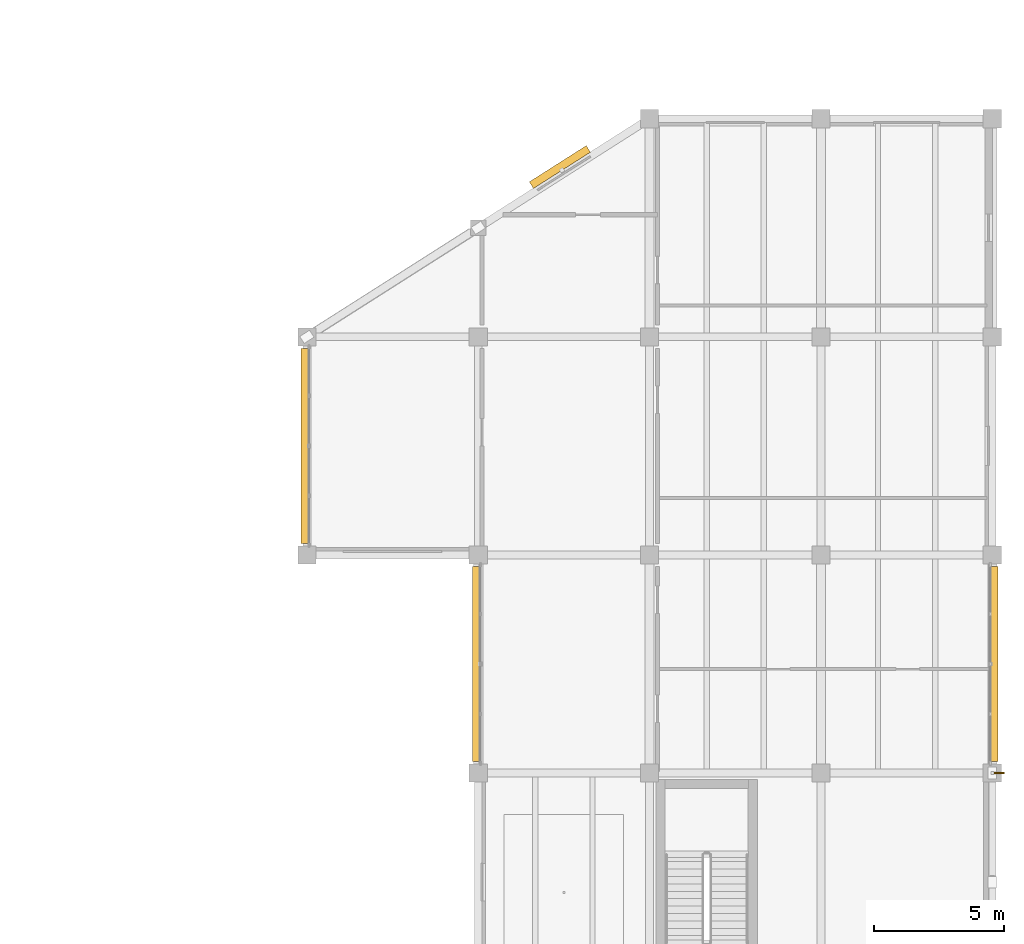
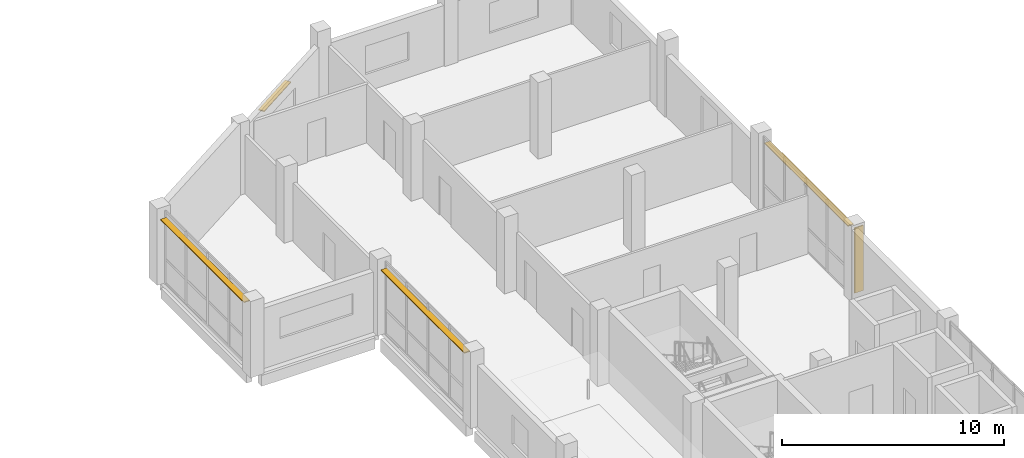
# One storey, part 18 of 19: 5 shading devices.
"""IFC4 building model written with IfcOpenShell, lengths in metres."""

import ifcopenshell
import ifcopenshell.guid

model = None  # the IFC model being written
_history = None  # IfcOwnerHistory: only IFC2X3 demands one
_inside = {}  # id of a spatial element -> (the spatial element, [elements in it])
_under = {}  # id of a project, library or spatial element -> (it, [spatial elements below it])
_declared = {}  # id of a project -> (the project, [libraries it declares])
_typed = {}  # id of a type object -> (the type object, [elements of that type])
_made_of = {}  # id of a material, layer set ... -> (it, [elements and type objects made of it])


def new_model(schema):
    """Start an empty IFC model of exactly this schema.

    Asked for "IFC4X3", IfcOpenShell would pick the latest addendum, in which some entities
    have other attributes; the version numbers below select the first issue.
    IFC2X3 requires an IfcOwnerHistory on every rooted entity: one is made here for all.
    """
    global model, _history
    if schema == "IFC4X3":
        model = ifcopenshell.file(schema_version=(4, 3, 0, 0))
    else:
        model = ifcopenshell.file(schema=schema)
    _inside.clear()
    _under.clear()
    _declared.clear()
    _typed.clear()
    _made_of.clear()
    _history = None
    if model.schema == "IFC2X3":
        org = make("IfcOrganization", Name="unknown")
        user = make(
            "IfcPersonAndOrganization",
            ThePerson=make("IfcPerson", FamilyName="unknown"),
            TheOrganization=org,
        )
        app = make(
            "IfcApplication",
            ApplicationDeveloper=org,
            Version="unknown",
            ApplicationFullName="unknown",
            ApplicationIdentifier="unknown",
        )
        _history = make(
            "IfcOwnerHistory",
            OwningUser=user,
            OwningApplication=app,
            ChangeAction="ADDED",
            CreationDate=0,
        )
    return model


def make(cls, **values):
    """One entity of the class cls with the attributes given. An attribute that is None is left unset."""
    return model.create_entity(
        cls, **{name: value for name, value in values.items() if value is not None}
    )


def rooted(cls, **values):
    """An entity with a GlobalId (a new one), such as an element, a storey or a relation."""
    return make(cls, GlobalId=ifcopenshell.guid.new(), OwnerHistory=_history, **values)


def si_unit(unit_type, name, prefix=None):
    """IfcSIUnit, for example si_unit("LENGTHUNIT", "METRE", prefix="MILLI")."""
    return make("IfcSIUnit", UnitType=unit_type, Prefix=prefix, Name=name)


def assignment(units):
    """IfcUnitAssignment: the units of a project."""
    return None if units is None else make("IfcUnitAssignment", Units=units)


def point(xyz):
    """IfcCartesianPoint."""
    return None if xyz is None else make("IfcCartesianPoint", Coordinates=xyz)


def direction(xyz):
    """IfcDirection."""
    return None if xyz is None else make("IfcDirection", DirectionRatios=xyz)


def frame(location, z_axis=None, x_axis=None):
    """IfcAxis2Placement3D, a coordinate frame: its origin and axes. An axis left out is left unset."""
    return make(
        "IfcAxis2Placement3D",
        Location=point(location),
        Axis=direction(z_axis),
        RefDirection=direction(x_axis),
    )


def frame_2d(location, x_axis=None):
    """IfcAxis2Placement2D, a coordinate frame in the plane: its origin and x axis."""
    return make(
        "IfcAxis2Placement2D", Location=point(location), RefDirection=direction(x_axis)
    )


def origin():
    """The frame at (0, 0, 0) with its axes left unset."""
    return frame((0.0, 0.0, 0.0))


def origin_2d():
    """The frame at (0, 0) in the plane with its x axis left unset."""
    return frame_2d((0.0, 0.0))


def place(relative_to, where):
    """IfcLocalPlacement: puts the frame where relative to a parent placement (None: the world)."""
    return make(
        "IfcLocalPlacement", PlacementRelTo=relative_to, RelativePlacement=where
    )


def context(
    kind, dimensions, precision=None, world=None, true_north=None, identifier=None
):
    """IfcGeometricRepresentationContext, for example the 3D "Model" context."""
    return make(
        "IfcGeometricRepresentationContext",
        ContextIdentifier=identifier,
        ContextType=kind,
        CoordinateSpaceDimension=dimensions,
        Precision=precision,
        WorldCoordinateSystem=world,
        TrueNorth=true_north,
    )


def subcontext(parent, identifier, kind, view, scale=None):
    """IfcGeometricRepresentationSubContext, for example "Body" below "Model"."""
    return make(
        "IfcGeometricRepresentationSubContext",
        ContextIdentifier=identifier,
        ContextType=kind,
        ParentContext=parent,
        TargetScale=scale,
        TargetView=view,
    )


def project(units=None, contexts=None):
    """IfcProject with its units and contexts."""
    return rooted(
        "IfcProject",
        Name="project",
        RepresentationContexts=contexts,
        UnitsInContext=assignment(units),
    )


def spatial(cls, under=None, at=None, **own):
    """A site, building, storey or space (cls), placed at a placement, below another one or the project."""
    s = rooted(cls, ObjectPlacement=at, **own)
    if under is not None:
        _under.setdefault(under.id(), (under, []))[1].append(s)
    return s


def profile(cls, at=None, kind="AREA", **sizes):
    """A parametric profile (cls). Its sizes go by their IFC names, for example OverallWidth=200.0."""
    return make(cls, ProfileType=kind, Position=at, **sizes)


def rectangle(**sizes):
    """IfcRectangleProfileDef."""
    return profile("IfcRectangleProfileDef", **sizes)


def extrude(swept, where, along, depth):
    """IfcExtrudedAreaSolid: the profile swept, set in the frame where, extruded along a direction by depth."""
    return make(
        "IfcExtrudedAreaSolid",
        SweptArea=swept,
        Position=where,
        ExtrudedDirection=direction(along),
        Depth=depth,
    )


def shape(context_of_items, identifier, shape_type, items):
    """IfcShapeRepresentation: the items that make up one representation, for example the "Body"."""
    return make(
        "IfcShapeRepresentation",
        ContextOfItems=context_of_items,
        RepresentationIdentifier=identifier,
        RepresentationType=shape_type,
        Items=items,
    )


def material(Name=None, Category=None):
    """IfcMaterial."""
    return make("IfcMaterial", Name=Name, Category=Category)


def layer(
    of_material, thickness, ventilated=None, Name=None, Category=None, Priority=None
):
    """IfcMaterialLayer: one layer of a wall or slab, of a material (None: an air gap)."""
    return make(
        "IfcMaterialLayer",
        Material=of_material,
        LayerThickness=thickness,
        IsVentilated=ventilated,
        Name=Name,
        Category=Category,
        Priority=Priority,
    )


def layer_set(layers, Name=None):
    """IfcMaterialLayerSet."""
    return make("IfcMaterialLayerSet", MaterialLayers=layers, LayerSetName=Name)


def made_of(thing, what):
    """Note that an element or type object is made of a material, layer set ...; save() writes the relation."""
    if what is not None:
        _made_of.setdefault(what.id(), (what, []))[1].append(thing)
    return thing


def type_object(cls, material=None, **own):
    """A type object (cls), such as IfcWallType, which elements share."""
    return made_of(rooted(cls, **own), material)


def element(
    cls,
    number,
    at=None,
    inside=None,
    cuts=None,
    type_object=None,
    material=None,
    context=None,
    identifier="Body",
    shape_type=None,
    held_by="IfcProductDefinitionShape",
    body=None,
    shapes=None,
    **own,
):
    """One element of the class cls, such as IfcWall. Its Tag is "e" and its number.

    at: its placement. inside: the storey or other place that contains it. cuts: it is an
    opening in that element (IfcRelVoidsElement). A single representation is given by context,
    identifier, shape_type and body (its items); several are given by shapes. held_by: the class
    of the entity that holds the representations. save() writes the other relations.
    """
    e = rooted(cls, Tag="e%d" % number, ObjectPlacement=at, **own)
    if body is not None:
        shapes = [shape(context, identifier, shape_type, body)]
    if shapes is not None:
        e.Representation = make(held_by, Representations=shapes)
    if inside is not None:
        _inside.setdefault(inside.id(), (inside, []))[1].append(e)
    if cuts is not None:
        rooted(
            "IfcRelVoidsElement", RelatingBuildingElement=cuts, RelatedOpeningElement=e
        )
    if type_object is not None:
        _typed.setdefault(type_object.id(), (type_object, []))[1].append(e)
    return made_of(e, material)


def aggregate(whole, parts):
    """IfcRelAggregates: a whole, such as a stair, and the parts it consists of."""
    return rooted("IfcRelAggregates", RelatingObject=whole, RelatedObjects=parts)


def save(model, path):
    """Write the relations noted so far, then the file.

    IfcRelAggregates (storeys below a building ...), IfcRelContainedInSpatialStructure (elements
    in a storey), IfcRelDefinesByType, IfcRelAssociatesMaterial and IfcRelDeclares: one each for
    every whole, place, type object, material and project.
    """
    for whole, parts in _under.values():
        aggregate(whole, parts)
    for where, things in _inside.values():
        rooted(
            "IfcRelContainedInSpatialStructure",
            RelatedElements=things,
            RelatingStructure=where,
        )
    for kind, things in _typed.values():
        rooted("IfcRelDefinesByType", RelatedObjects=things, RelatingType=kind)
    for what, things in _made_of.values():
        rooted("IfcRelAssociatesMaterial", RelatedObjects=things, RelatingMaterial=what)
    for by, libraries in _declared.values():
        rooted("IfcRelDeclares", RelatingContext=by, RelatedDefinitions=libraries)
    model.write(path)


model = new_model("IFC4")

# Units and contexts
model_context = context("Model", 3, precision=1e-05, world=origin(), true_north=direction((0.0, 1.0)))
body_context = subcontext(model_context, "Body", "Model", "MODEL_VIEW")
ifc_project = project(units=[si_unit("LENGTHUNIT", "METRE"), si_unit("AREAUNIT", "SQUARE_METRE"), si_unit("VOLUMEUNIT", "CUBIC_METRE"), si_unit("PLANEANGLEUNIT", "RADIAN"), si_unit("MASSUNIT", "GRAM", prefix="KILO")], contexts=[model_context])

# Site, building, storey
site_placement = place(None, origin())
site = spatial("IfcSite", under=ifc_project, at=site_placement, CompositionType="ELEMENT")
building_placement = place(site_placement, origin())
building = spatial("IfcBuilding", under=site, at=building_placement, Name="Qaldarim Faculty of Natural and Applied Sciences", CompositionType="ELEMENT")
storey_placement = place(building_placement, frame((0.0, 0.0, 27.0)))
storey = spatial("IfcBuildingStorey", under=building, at=storey_placement, Name="L06", CompositionType="ELEMENT", Elevation=27.0)

# Shading devices
ifc_material = material(Name="Champagne anodised aluminium AW-6063", Category="aluminium")
ifc_layer_1 = layer(ifc_material, 0.050048828125)
ifc_layer_set_1 = layer_set([ifc_layer_1], Name="Champagne anodised aluminium AW-6063")
shading_device_type_1 = type_object("IfcShadingDeviceType", Name="SolarLouvre-ALU300x50", PredefinedType="JALOUSIE", material=ifc_layer_set_1)
for number, where, z_axis, x_axis, name in (
    (1, (151.72998046875, 46.199951171875, 3.60498046875), (0.0, 0.0, 1.0), (0.0, 1.0, 0.0), "Horizontal solar louvre L06 W X24Y06"),
    (2, (158.330078125, 37.800048828125, 3.60498046875), (0.0, 0.0, 1.0), (0.0, 1.0, 0.0), "Horizontal solar louvre L06 W X25Y05"),
    (3, (178.27001953125, 37.800048828125, 3.60498046875), (0.0, 0.0, 1.0), (0.0, 1.0, 0.0), "Horizontal solar louvre L06 E X27Y05"),
):
    element("IfcShadingDevice", number, at=place(storey_placement, frame(where, z_axis=z_axis, x_axis=x_axis)), inside=storey, type_object=shading_device_type_1, Name=name, PredefinedType="JALOUSIE", context=body_context, shape_type="SweptSolid", body=[
        extrude(rectangle(XDim=7.510009765625, YDim=0.300048828125, at=origin_2d()), origin(), (0.0, 0.0, 1.0), 0.050048828125),
    ])
shading_device_1_placement = place(storey_placement, frame((161.544921875, 56.93994140625, 2.6748046875), z_axis=(0.0, 0.0, 1.0), x_axis=(0.843775713382, 0.536695952571, 0.0)))
element("IfcShadingDevice", 4, at=shading_device_1_placement, inside=storey, type_object=shading_device_type_1, Name="Oblique facade horizontal solar louvre SHD-OBL-NW-L06-2", PredefinedType="JALOUSIE", context=body_context, shape_type="SweptSolid", body=[
    extrude(rectangle(XDim=2.60009765625, YDim=0.300048828125, at=origin_2d()), origin(), (0.0, 0.0, 1.0), 0.050048828125),
])
ifc_layer_2 = layer(ifc_material, 0.06005859375)
ifc_layer_set_2 = layer_set([ifc_layer_2], Name="Champagne anodised aluminium AW-6063")
shading_device_type_2 = type_object("IfcShadingDeviceType", Name="VerticalSunFin-ALU450x60", PredefinedType="SHUTTER", material=ifc_layer_set_2)
shading_device_2_placement = place(storey_placement, frame((178.425048828125, 33.60009765625, 0.199951171875), z_axis=(0.0, 0.0, 1.0), x_axis=(1.0, 0.0, 0.0)))
element("IfcShadingDevice", 5, at=shading_device_2_placement, inside=storey, type_object=shading_device_type_2, Name="Tower solar fin FIN-V5E-L06-Y05", PredefinedType="SHUTTER", context=body_context, shape_type="SweptSolid", body=[
    extrude(rectangle(XDim=0.449951171875, YDim=0.06005859375, at=origin_2d()), origin(), (0.0, 0.0, 1.0), 3.580078125),
])

save(model, "model.ifc")
